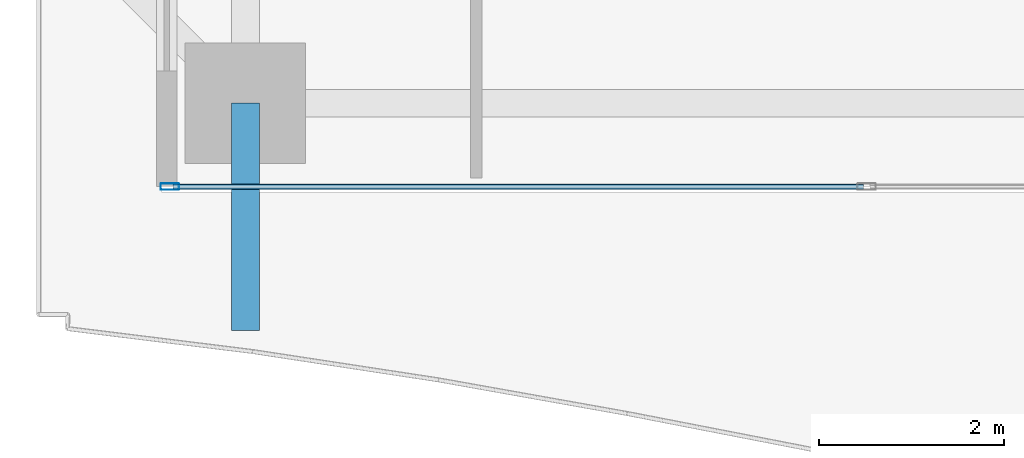
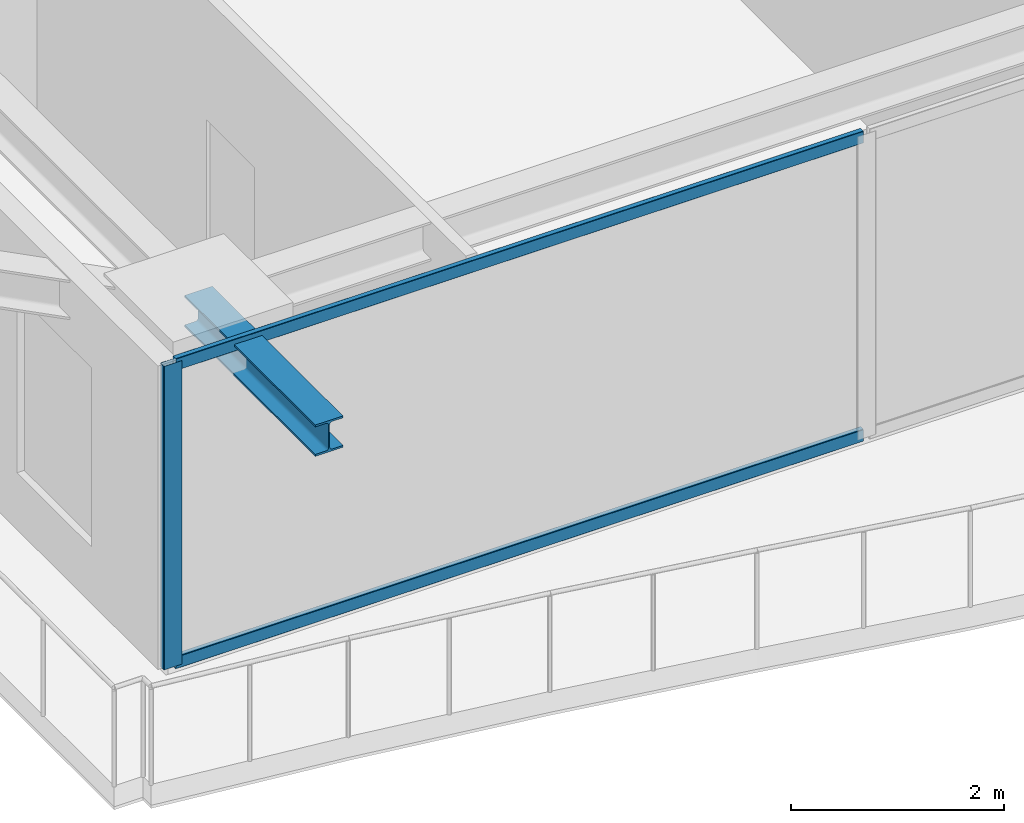
# One storey, part 2 of 35: 3 members, 1 beam, 1 element without a shape of its own.
"""IFC4 building model written with IfcOpenShell, lengths in metres."""

from ifc_helpers import new_model, si_unit, direction, frame, origin, origin_2d, place, context, subcontext, project, spatial, hollow_rectangle, i_section, extrude, source, transform, mapped, material, layer, layer_set, material_profile, profile_set, type_object, element, aggregate, save


model = new_model("IFC4")

# Units and contexts
model_context = context("Model", 3, precision=1e-05, world=origin(), true_north=direction((0.0, 1.0)))
body_context = subcontext(model_context, "Body", "Model", "MODEL_VIEW")
ifc_project = project(units=[si_unit("LENGTHUNIT", "METRE"), si_unit("AREAUNIT", "SQUARE_METRE"), si_unit("VOLUMEUNIT", "CUBIC_METRE"), si_unit("PLANEANGLEUNIT", "RADIAN"), si_unit("MASSUNIT", "GRAM", prefix="KILO")], contexts=[model_context])

# Site, building, storey
site_placement = place(None, origin())
site = spatial("IfcSite", under=ifc_project, at=site_placement, CompositionType="ELEMENT")
building_placement = place(site_placement, origin())
building = spatial("IfcBuilding", under=site, at=building_placement, Name="Serunith Strait Residences", CompositionType="ELEMENT")
storey_placement = place(building_placement, frame((0.0, 0.0, 157.64990234375)))
storey = spatial("IfcBuildingStorey", under=building, at=storey_placement, Name="L39", CompositionType="ELEMENT", Elevation=157.64990234375)

# Beam
ifc_material_1 = material(Name="Steel S355J2", Category="steel")
ifc_material_profile_1 = material_profile(ifc_material_1, i_section(OverallWidth=0.300048828125, OverallDepth=0.360107421875, WebThickness=0.012451171875, FlangeThickness=0.0224609375, FilletRadius=0.027099609375, at=origin_2d()), Name="HEB 360")
ifc_profile_set_1 = profile_set([ifc_material_profile_1], Name="Steel S355J2")
beam_type = type_object("IfcBeamType", Name="BM-HEB360", PredefinedType="BEAM", material=ifc_profile_set_1)
shared_shape_1 = source(origin(), body_context, "Body", "SweptSolid", [
    extrude(i_section(OverallWidth=0.300048828125, OverallDepth=0.360107421875, WebThickness=0.012451171875, FlangeThickness=0.0224609375, FilletRadius=0.027099609375, at=origin_2d()), origin(), (0.0, 0.0, 1.0), 2.450439453125),
])
beam_placement = place(storey_placement, frame((16.64990234375, 2.300048828125, 3.277099609375), z_axis=(0.0, -1.0, 0.0), x_axis=(1.0, 0.0, 0.0)))
element("IfcBeam", 1, at=beam_placement, inside=storey, type_object=beam_type, Name="L40 Cantilevered Balcony Rib TC-S1", PredefinedType="BEAM", context=body_context, shape_type="MappedRepresentation", body=[
    mapped(shared_shape_1, transform((0.0, 0.0, 0.0), scale=1.0)),
])

# Curtain wall, members
ifc_material_2 = material(Name="Pale-Champagne Anodised Aluminium", Category="aluminium")
ifc_layer = layer(ifc_material_2, 0.199951171875, Name="Pale-Champagne Anodised Aluminium")
ifc_layer_set = layer_set([ifc_layer], Name="Pale-Champagne Anodised Aluminium")
curtain_wall_type = type_object("IfcCurtainWallType", Name="CW-SYS2", PredefinedType="NOTDEFINED", material=ifc_layer_set)
curtain_wall_placement = place(storey_placement, origin())
curtain_wall = element("IfcCurtainWall", 2, at=curtain_wall_placement, inside=storey, type_object=curtain_wall_type, Name="L39 S Unitised Fritted Curtain Wall", PredefinedType="NOTDEFINED")
ifc_material_profile_2 = material_profile(ifc_material_2, hollow_rectangle(XDim=0.070068359375, YDim=0.199951171875, WallThickness=0.00390625, InnerFilletRadius=0.006103515625, OuterFilletRadius=0.010009765625, at=origin_2d()), Name="ALU 200x70x4")
ifc_profile_set_2 = profile_set([ifc_material_profile_2], Name="Pale-Champagne Anodised Aluminium")
member_type_1 = type_object("IfcMemberType", Name="CW-SYS2-MULL", PredefinedType="MULLION", material=ifc_profile_set_2)
shared_shape_2 = source(origin(), body_context, "Body", "SweptSolid", [
    extrude(hollow_rectangle(XDim=0.070068359375, YDim=0.199951171875, WallThickness=0.00390625, InnerFilletRadius=0.006103515625, OuterFilletRadius=0.010009765625, at=origin_2d()), origin(), (0.0, 0.0, 1.0), 3.47509765625),
])
member_1_placement = place(storey_placement, frame((15.8349609375, 1.39990234375, 0.0), z_axis=(0.0, 0.0, 1.0), x_axis=(0.0, 1.0, 0.0)))
member_1 = element("IfcMember", 3, at=member_1_placement, type_object=member_type_1, Name="CW-2 mullion 1", PredefinedType="MULLION", context=body_context, shape_type="MappedRepresentation", body=[
    mapped(shared_shape_2, transform((0.0, 0.0, 0.0), scale=1.0)),
])
ifc_material_profile_3 = material_profile(ifc_material_2, hollow_rectangle(XDim=0.06005859375, YDim=0.139892578125, WallThickness=0.00341796875, InnerFilletRadius=0.00537109375, OuterFilletRadius=0.0087890625, at=origin_2d()), Name="ALU 140x60x3.5")
ifc_profile_set_3 = profile_set([ifc_material_profile_3], Name="Pale-Champagne Anodised Aluminium")
member_type_2 = type_object("IfcMemberType", Name="CW-SYS2-TRAN", PredefinedType="USERDEFINED", material=ifc_profile_set_3)
shared_shape_3 = source(origin(), body_context, "Body", "SweptSolid", [
    extrude(hollow_rectangle(XDim=0.06005859375, YDim=0.139892578125, WallThickness=0.00341796875, InnerFilletRadius=0.00537109375, OuterFilletRadius=0.0087890625, at=origin_2d()), origin(), (0.0, 0.0, 1.0), 7.44482421875),
])
member_2_placement = place(storey_placement, frame((15.8701171875, 1.39990234375, 0.030029296875), z_axis=(1.0, 0.0, 0.0), x_axis=(0.0, 1.0, 0.0)))
member_2 = element("IfcMember", 4, at=member_2_placement, type_object=member_type_2, Name="CW-2 transom 1.1", ObjectType="TRANSOM", PredefinedType="USERDEFINED", context=body_context, shape_type="MappedRepresentation", body=[
    mapped(shared_shape_3, transform((0.0, 0.0, 0.0), scale=1.0)),
])
member_3_placement = place(storey_placement, frame((15.8701171875, 1.39990234375, 3.445068359375), z_axis=(1.0, 0.0, 0.0), x_axis=(0.0, 1.0, 0.0)))
member_3 = element("IfcMember", 5, at=member_3_placement, type_object=member_type_2, Name="CW-2 transom 1.2", ObjectType="TRANSOM", PredefinedType="USERDEFINED", context=body_context, shape_type="MappedRepresentation", body=[
    mapped(shared_shape_3, transform((0.0, 0.0, 0.0), scale=1.0)),
])
aggregate(curtain_wall, [member_1, member_2, member_3])

save(model, "model.ifc")
